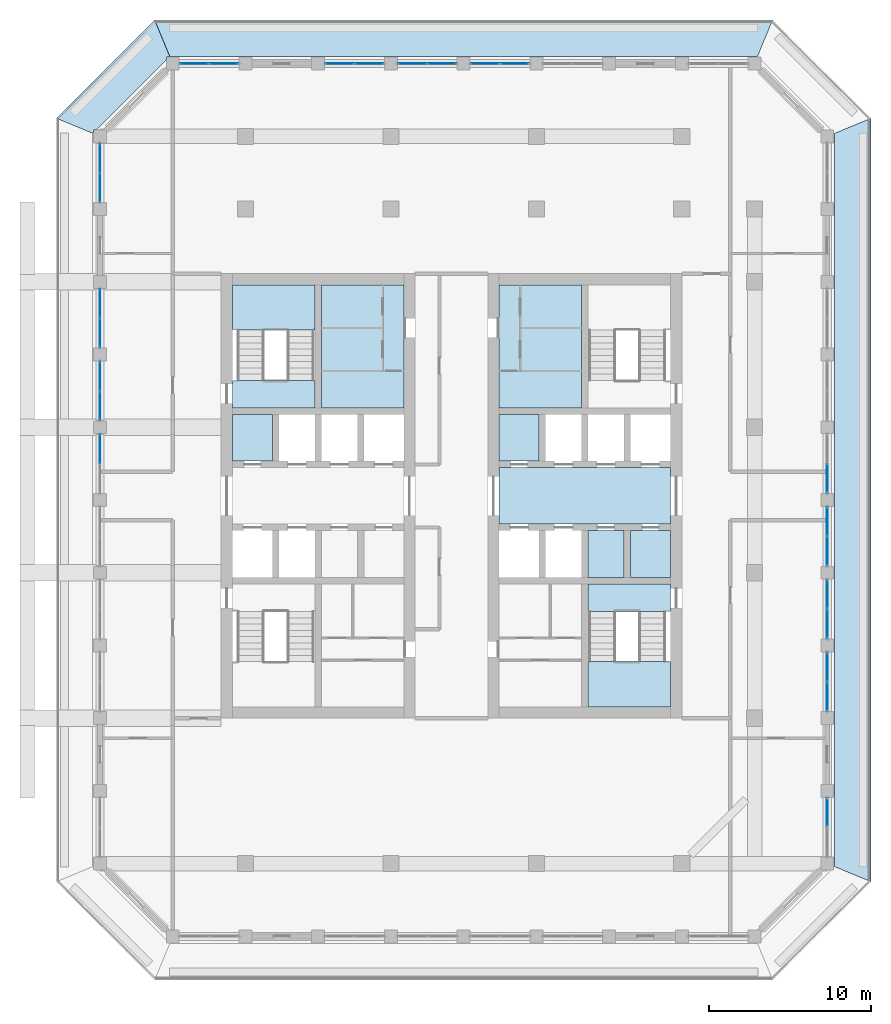
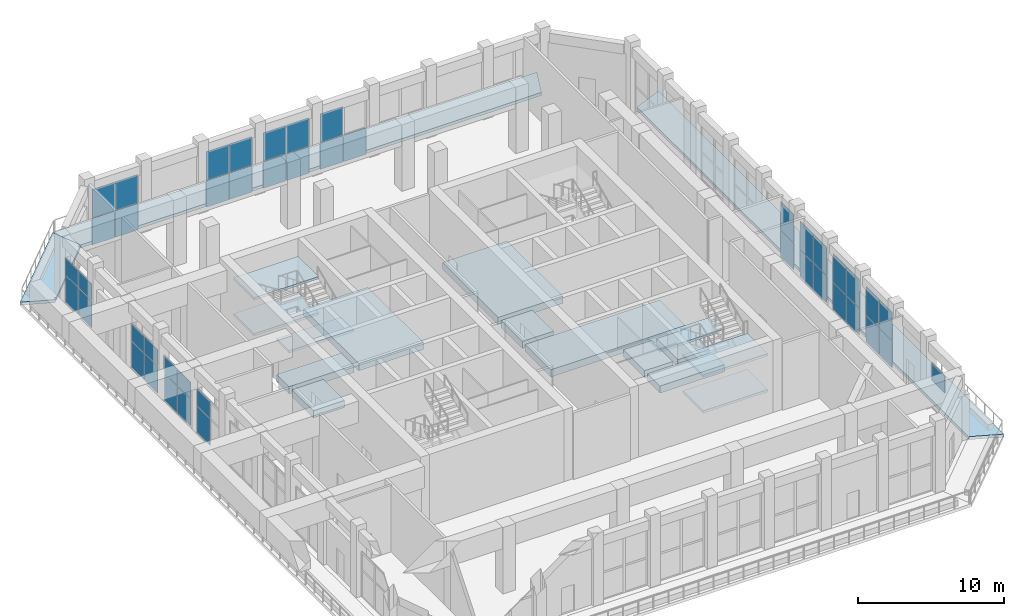
# One storey, part 10 of 25: 44 plates, 18 slabs, 15 elements without a shape of their own.
"""IFC4 building model written with IfcOpenShell, lengths in metres."""

import ifcopenshell
import ifcopenshell.guid

model = None  # the IFC model being written
_history = None  # IfcOwnerHistory: only IFC2X3 demands one
_inside = {}  # id of a spatial element -> (the spatial element, [elements in it])
_under = {}  # id of a project, library or spatial element -> (it, [spatial elements below it])
_declared = {}  # id of a project -> (the project, [libraries it declares])
_typed = {}  # id of a type object -> (the type object, [elements of that type])
_made_of = {}  # id of a material, layer set ... -> (it, [elements and type objects made of it])


def new_model(schema):
    """Start an empty IFC model of exactly this schema.

    Asked for "IFC4X3", IfcOpenShell would pick the latest addendum, in which some entities
    have other attributes; the version numbers below select the first issue.
    IFC2X3 requires an IfcOwnerHistory on every rooted entity: one is made here for all.
    """
    global model, _history
    if schema == "IFC4X3":
        model = ifcopenshell.file(schema_version=(4, 3, 0, 0))
    else:
        model = ifcopenshell.file(schema=schema)
    _inside.clear()
    _under.clear()
    _declared.clear()
    _typed.clear()
    _made_of.clear()
    _history = None
    if model.schema == "IFC2X3":
        org = make("IfcOrganization", Name="unknown")
        user = make(
            "IfcPersonAndOrganization",
            ThePerson=make("IfcPerson", FamilyName="unknown"),
            TheOrganization=org,
        )
        app = make(
            "IfcApplication",
            ApplicationDeveloper=org,
            Version="unknown",
            ApplicationFullName="unknown",
            ApplicationIdentifier="unknown",
        )
        _history = make(
            "IfcOwnerHistory",
            OwningUser=user,
            OwningApplication=app,
            ChangeAction="ADDED",
            CreationDate=0,
        )
    return model


def make(cls, **values):
    """One entity of the class cls with the attributes given. An attribute that is None is left unset."""
    return model.create_entity(
        cls, **{name: value for name, value in values.items() if value is not None}
    )


def rooted(cls, **values):
    """An entity with a GlobalId (a new one), such as an element, a storey or a relation."""
    return make(cls, GlobalId=ifcopenshell.guid.new(), OwnerHistory=_history, **values)


def si_unit(unit_type, name, prefix=None):
    """IfcSIUnit, for example si_unit("LENGTHUNIT", "METRE", prefix="MILLI")."""
    return make("IfcSIUnit", UnitType=unit_type, Prefix=prefix, Name=name)


def assignment(units):
    """IfcUnitAssignment: the units of a project."""
    return None if units is None else make("IfcUnitAssignment", Units=units)


def point(xyz):
    """IfcCartesianPoint."""
    return None if xyz is None else make("IfcCartesianPoint", Coordinates=xyz)


def direction(xyz):
    """IfcDirection."""
    return None if xyz is None else make("IfcDirection", DirectionRatios=xyz)


def frame(location, z_axis=None, x_axis=None):
    """IfcAxis2Placement3D, a coordinate frame: its origin and axes. An axis left out is left unset."""
    return make(
        "IfcAxis2Placement3D",
        Location=point(location),
        Axis=direction(z_axis),
        RefDirection=direction(x_axis),
    )


def frame_2d(location, x_axis=None):
    """IfcAxis2Placement2D, a coordinate frame in the plane: its origin and x axis."""
    return make(
        "IfcAxis2Placement2D", Location=point(location), RefDirection=direction(x_axis)
    )


def origin():
    """The frame at (0, 0, 0) with its axes left unset."""
    return frame((0.0, 0.0, 0.0))


def origin_2d():
    """The frame at (0, 0) in the plane with its x axis left unset."""
    return frame_2d((0.0, 0.0))


def place(relative_to, where):
    """IfcLocalPlacement: puts the frame where relative to a parent placement (None: the world)."""
    return make(
        "IfcLocalPlacement", PlacementRelTo=relative_to, RelativePlacement=where
    )


def context(
    kind, dimensions, precision=None, world=None, true_north=None, identifier=None
):
    """IfcGeometricRepresentationContext, for example the 3D "Model" context."""
    return make(
        "IfcGeometricRepresentationContext",
        ContextIdentifier=identifier,
        ContextType=kind,
        CoordinateSpaceDimension=dimensions,
        Precision=precision,
        WorldCoordinateSystem=world,
        TrueNorth=true_north,
    )


def subcontext(parent, identifier, kind, view, scale=None):
    """IfcGeometricRepresentationSubContext, for example "Body" below "Model"."""
    return make(
        "IfcGeometricRepresentationSubContext",
        ContextIdentifier=identifier,
        ContextType=kind,
        ParentContext=parent,
        TargetScale=scale,
        TargetView=view,
    )


def project(units=None, contexts=None):
    """IfcProject with its units and contexts."""
    return rooted(
        "IfcProject",
        Name="project",
        RepresentationContexts=contexts,
        UnitsInContext=assignment(units),
    )


def spatial(cls, under=None, at=None, **own):
    """A site, building, storey or space (cls), placed at a placement, below another one or the project."""
    s = rooted(cls, ObjectPlacement=at, **own)
    if under is not None:
        _under.setdefault(under.id(), (under, []))[1].append(s)
    return s


def polyline(points):
    """IfcPolyline through the points."""
    return make("IfcPolyline", Points=[point(p) for p in points])


def profile(cls, at=None, kind="AREA", **sizes):
    """A parametric profile (cls). Its sizes go by their IFC names, for example OverallWidth=200.0."""
    return make(cls, ProfileType=kind, Position=at, **sizes)


def rectangle(**sizes):
    """IfcRectangleProfileDef."""
    return profile("IfcRectangleProfileDef", **sizes)


def outline(outer, holes=None, kind="AREA"):
    """IfcArbitraryClosedProfileDef: a profile drawn as a closed curve; with holes, ...WithVoids."""
    if holes is None:
        return make("IfcArbitraryClosedProfileDef", ProfileType=kind, OuterCurve=outer)
    return make(
        "IfcArbitraryProfileDefWithVoids",
        ProfileType=kind,
        OuterCurve=outer,
        InnerCurves=holes,
    )


def extrude(swept, where, along, depth):
    """IfcExtrudedAreaSolid: the profile swept, set in the frame where, extruded along a direction by depth."""
    return make(
        "IfcExtrudedAreaSolid",
        SweptArea=swept,
        Position=where,
        ExtrudedDirection=direction(along),
        Depth=depth,
    )


def shape(context_of_items, identifier, shape_type, items):
    """IfcShapeRepresentation: the items that make up one representation, for example the "Body"."""
    return make(
        "IfcShapeRepresentation",
        ContextOfItems=context_of_items,
        RepresentationIdentifier=identifier,
        RepresentationType=shape_type,
        Items=items,
    )


def material(Name=None, Category=None):
    """IfcMaterial."""
    return make("IfcMaterial", Name=Name, Category=Category)


def layer(
    of_material, thickness, ventilated=None, Name=None, Category=None, Priority=None
):
    """IfcMaterialLayer: one layer of a wall or slab, of a material (None: an air gap)."""
    return make(
        "IfcMaterialLayer",
        Material=of_material,
        LayerThickness=thickness,
        IsVentilated=ventilated,
        Name=Name,
        Category=Category,
        Priority=Priority,
    )


def layer_set(layers, Name=None):
    """IfcMaterialLayerSet."""
    return make("IfcMaterialLayerSet", MaterialLayers=layers, LayerSetName=Name)


def made_of(thing, what):
    """Note that an element or type object is made of a material, layer set ...; save() writes the relation."""
    if what is not None:
        _made_of.setdefault(what.id(), (what, []))[1].append(thing)
    return thing


def type_object(cls, material=None, **own):
    """A type object (cls), such as IfcWallType, which elements share."""
    return made_of(rooted(cls, **own), material)


def element(
    cls,
    number,
    at=None,
    inside=None,
    cuts=None,
    type_object=None,
    material=None,
    context=None,
    identifier="Body",
    shape_type=None,
    held_by="IfcProductDefinitionShape",
    body=None,
    shapes=None,
    **own,
):
    """One element of the class cls, such as IfcWall. Its Tag is "e" and its number.

    at: its placement. inside: the storey or other place that contains it. cuts: it is an
    opening in that element (IfcRelVoidsElement). A single representation is given by context,
    identifier, shape_type and body (its items); several are given by shapes. held_by: the class
    of the entity that holds the representations. save() writes the other relations.
    """
    e = rooted(cls, Tag="e%d" % number, ObjectPlacement=at, **own)
    if body is not None:
        shapes = [shape(context, identifier, shape_type, body)]
    if shapes is not None:
        e.Representation = make(held_by, Representations=shapes)
    if inside is not None:
        _inside.setdefault(inside.id(), (inside, []))[1].append(e)
    if cuts is not None:
        rooted(
            "IfcRelVoidsElement", RelatingBuildingElement=cuts, RelatedOpeningElement=e
        )
    if type_object is not None:
        _typed.setdefault(type_object.id(), (type_object, []))[1].append(e)
    return made_of(e, material)


def aggregate(whole, parts):
    """IfcRelAggregates: a whole, such as a stair, and the parts it consists of."""
    return rooted("IfcRelAggregates", RelatingObject=whole, RelatedObjects=parts)


def save(model, path):
    """Write the relations noted so far, then the file.

    IfcRelAggregates (storeys below a building ...), IfcRelContainedInSpatialStructure (elements
    in a storey), IfcRelDefinesByType, IfcRelAssociatesMaterial and IfcRelDeclares: one each for
    every whole, place, type object, material and project.
    """
    for whole, parts in _under.values():
        aggregate(whole, parts)
    for where, things in _inside.values():
        rooted(
            "IfcRelContainedInSpatialStructure",
            RelatedElements=things,
            RelatingStructure=where,
        )
    for kind, things in _typed.values():
        rooted("IfcRelDefinesByType", RelatedObjects=things, RelatingType=kind)
    for what, things in _made_of.values():
        rooted("IfcRelAssociatesMaterial", RelatedObjects=things, RelatingMaterial=what)
    for by, libraries in _declared.values():
        rooted("IfcRelDeclares", RelatingContext=by, RelatedDefinitions=libraries)
    model.write(path)


model = new_model("IFC4")

# Units and contexts
model_context = context("Model", 3, precision=1e-05, world=origin(), true_north=direction((0.0, 1.0)))
body_context = subcontext(model_context, "Body", "Model", "MODEL_VIEW")
ifc_project = project(units=[si_unit("LENGTHUNIT", "METRE"), si_unit("AREAUNIT", "SQUARE_METRE"), si_unit("VOLUMEUNIT", "CUBIC_METRE"), si_unit("PLANEANGLEUNIT", "RADIAN"), si_unit("MASSUNIT", "GRAM", prefix="KILO")], contexts=[model_context])

# Site, building, storey
site_placement = place(None, origin())
site = spatial("IfcSite", under=ifc_project, at=site_placement, CompositionType="ELEMENT")
building_placement = place(site_placement, origin())
building = spatial("IfcBuilding", under=site, at=building_placement, Name="Corbel Stack Research Tower", CompositionType="ELEMENT")
storey_placement = place(building_placement, frame((0.0, 0.0, 260.300048828125)))
storey = spatial("IfcBuildingStorey", under=building, at=storey_placement, Name="L59", CompositionType="ELEMENT", Elevation=260.300048828125)

# Curtain wall, plate
ifc_material_1 = material(Name="Aluminium frame, clear glass", Category="aluminium")
curtain_wall_type = type_object("IfcCurtainWallType", Name="Upper amenity floor curtain wall CW3", PredefinedType="NOTDEFINED", material=ifc_material_1)
curtain_wall_1_placement = place(storey_placement, origin())
curtain_wall_1 = element("IfcCurtainWall", 1, at=curtain_wall_1_placement, inside=storey, type_object=curtain_wall_type, Name="Curtain wall CW3 L59 E01", PredefinedType="NOTDEFINED")
ifc_material_2 = material(Name="Low-emissivity glass", Category="glass")
ifc_layer_1 = layer(ifc_material_2, 0.035888671875)
ifc_layer_set_1 = layer_set([ifc_layer_1], Name="Low-emissivity glass")
plate_type = type_object("IfcPlateType", Name="Low-emissivity glazing 36", PredefinedType="CURTAIN_PANEL", material=ifc_layer_set_1)
plate_1_placement = place(storey_placement, frame((27.0, -14.840087890625, 2.330078125), z_axis=(0.0, 0.0, 1.0), x_axis=(0.0, 1.0, 0.0)))
plate_1 = element("IfcPlate", 2, at=plate_1_placement, type_object=plate_type, Name="CW3 panel 2.2", PredefinedType="CURTAIN_PANEL", context=body_context, shape_type="SweptSolid", body=[
    extrude(rectangle(XDim=1.760009765625, YDim=0.035888671875, at=origin_2d()), origin(), (0.0, 0.0, 1.0), 1.360107421875),
])
aggregate(curtain_wall_1, [plate_1])

# Curtain wall, plates
curtain_wall_2_placement = place(storey_placement, origin())
curtain_wall_2 = element("IfcCurtainWall", 3, at=curtain_wall_2_placement, inside=storey, type_object=curtain_wall_type, Name="Curtain wall CW3 L59 E03", PredefinedType="NOTDEFINED")
plate_2_placement = place(storey_placement, frame((27.0, -7.659912109375, 0.06005859375), z_axis=(0.0, 0.0, 1.0), x_axis=(0.0, 1.0, 0.0)))
plate_2 = element("IfcPlate", 4, at=plate_2_placement, type_object=plate_type, Name="CW3 panel 1.1", PredefinedType="CURTAIN_PANEL", context=body_context, shape_type="SweptSolid", body=[
    extrude(rectangle(XDim=1.760009765625, YDim=0.035888671875, at=origin_2d()), origin(), (0.0, 0.0, 1.0), 2.2099609375),
])
plate_3_placement = place(storey_placement, frame((27.0, -7.659912109375, 2.330078125), z_axis=(0.0, 0.0, 1.0), x_axis=(0.0, 1.0, 0.0)))
plate_3 = element("IfcPlate", 5, at=plate_3_placement, type_object=plate_type, Name="CW3 panel 1.2", PredefinedType="CURTAIN_PANEL", context=body_context, shape_type="SweptSolid", body=[
    extrude(rectangle(XDim=1.760009765625, YDim=0.035888671875, at=origin_2d()), origin(), (0.0, 0.0, 1.0), 2.360107421875),
])
plate_4_placement = place(storey_placement, frame((27.0, -5.840087890625, 0.06005859375), z_axis=(0.0, 0.0, 1.0), x_axis=(0.0, 1.0, 0.0)))
plate_4 = element("IfcPlate", 6, at=plate_4_placement, type_object=plate_type, Name="CW3 panel 2.1", PredefinedType="CURTAIN_PANEL", context=body_context, shape_type="SweptSolid", body=[
    extrude(rectangle(XDim=1.760009765625, YDim=0.035888671875, at=origin_2d()), origin(), (0.0, 0.0, 1.0), 2.2099609375),
])
plate_5_placement = place(storey_placement, frame((27.0, -5.840087890625, 2.330078125), z_axis=(0.0, 0.0, 1.0), x_axis=(0.0, 1.0, 0.0)))
plate_5 = element("IfcPlate", 7, at=plate_5_placement, type_object=plate_type, Name="CW3 panel 2.2", PredefinedType="CURTAIN_PANEL", context=body_context, shape_type="SweptSolid", body=[
    extrude(rectangle(XDim=1.760009765625, YDim=0.035888671875, at=origin_2d()), origin(), (0.0, 0.0, 1.0), 2.360107421875),
])
aggregate(curtain_wall_2, [plate_2, plate_3, plate_4, plate_5])

curtain_wall_3_placement = place(storey_placement, origin())
curtain_wall_3 = element("IfcCurtainWall", 8, at=curtain_wall_3_placement, inside=storey, type_object=curtain_wall_type, Name="Curtain wall CW3 L59 E04", PredefinedType="NOTDEFINED")
plate_6_placement = place(storey_placement, frame((27.0, -3.159912109375, 0.06005859375), z_axis=(0.0, 0.0, 1.0), x_axis=(0.0, 1.0, 0.0)))
plate_6 = element("IfcPlate", 9, at=plate_6_placement, type_object=plate_type, Name="CW3 panel 1.1", PredefinedType="CURTAIN_PANEL", context=body_context, shape_type="SweptSolid", body=[
    extrude(rectangle(XDim=1.760009765625, YDim=0.035888671875, at=origin_2d()), origin(), (0.0, 0.0, 1.0), 2.2099609375),
])
plate_7_placement = place(storey_placement, frame((27.0, -3.159912109375, 2.330078125), z_axis=(0.0, 0.0, 1.0), x_axis=(0.0, 1.0, 0.0)))
plate_7 = element("IfcPlate", 10, at=plate_7_placement, type_object=plate_type, Name="CW3 panel 1.2", PredefinedType="CURTAIN_PANEL", context=body_context, shape_type="SweptSolid", body=[
    extrude(rectangle(XDim=1.760009765625, YDim=0.035888671875, at=origin_2d()), origin(), (0.0, 0.0, 1.0), 2.360107421875),
])
plate_8_placement = place(storey_placement, frame((27.0, -1.340087890625, 0.06005859375), z_axis=(0.0, 0.0, 1.0), x_axis=(0.0, 1.0, 0.0)))
plate_8 = element("IfcPlate", 11, at=plate_8_placement, type_object=plate_type, Name="CW3 panel 2.1", PredefinedType="CURTAIN_PANEL", context=body_context, shape_type="SweptSolid", body=[
    extrude(rectangle(XDim=1.760009765625, YDim=0.035888671875, at=origin_2d()), origin(), (0.0, 0.0, 1.0), 2.2099609375),
])
plate_9_placement = place(storey_placement, frame((27.0, -1.340087890625, 2.330078125), z_axis=(0.0, 0.0, 1.0), x_axis=(0.0, 1.0, 0.0)))
plate_9 = element("IfcPlate", 12, at=plate_9_placement, type_object=plate_type, Name="CW3 panel 2.2", PredefinedType="CURTAIN_PANEL", context=body_context, shape_type="SweptSolid", body=[
    extrude(rectangle(XDim=1.760009765625, YDim=0.035888671875, at=origin_2d()), origin(), (0.0, 0.0, 1.0), 2.360107421875),
])
aggregate(curtain_wall_3, [plate_6, plate_7, plate_8, plate_9])

curtain_wall_4_placement = place(storey_placement, origin())
curtain_wall_4 = element("IfcCurtainWall", 13, at=curtain_wall_4_placement, inside=storey, type_object=curtain_wall_type, Name="Curtain wall CW3 L59 E05", PredefinedType="NOTDEFINED")
plate_10_placement = place(storey_placement, frame((27.0, 1.340087890625, 0.06005859375), z_axis=(0.0, 0.0, 1.0), x_axis=(0.0, 1.0, 0.0)))
plate_10 = element("IfcPlate", 14, at=plate_10_placement, type_object=plate_type, Name="CW3 panel 1.1", PredefinedType="CURTAIN_PANEL", context=body_context, shape_type="SweptSolid", body=[
    extrude(rectangle(XDim=1.760009765625, YDim=0.035888671875, at=origin_2d()), origin(), (0.0, 0.0, 1.0), 2.2099609375),
])
plate_11_placement = place(storey_placement, frame((27.0, 1.340087890625, 2.330078125), z_axis=(0.0, 0.0, 1.0), x_axis=(0.0, 1.0, 0.0)))
plate_11 = element("IfcPlate", 15, at=plate_11_placement, type_object=plate_type, Name="CW3 panel 1.2", PredefinedType="CURTAIN_PANEL", context=body_context, shape_type="SweptSolid", body=[
    extrude(rectangle(XDim=1.760009765625, YDim=0.035888671875, at=origin_2d()), origin(), (0.0, 0.0, 1.0), 2.360107421875),
])
plate_12_placement = place(storey_placement, frame((27.0, 3.159912109375, 0.06005859375), z_axis=(0.0, 0.0, 1.0), x_axis=(0.0, 1.0, 0.0)))
plate_12 = element("IfcPlate", 16, at=plate_12_placement, type_object=plate_type, Name="CW3 panel 2.1", PredefinedType="CURTAIN_PANEL", context=body_context, shape_type="SweptSolid", body=[
    extrude(rectangle(XDim=1.760009765625, YDim=0.035888671875, at=origin_2d()), origin(), (0.0, 0.0, 1.0), 2.2099609375),
])
plate_13_placement = place(storey_placement, frame((27.0, 3.159912109375, 2.330078125), z_axis=(0.0, 0.0, 1.0), x_axis=(0.0, 1.0, 0.0)))
plate_13 = element("IfcPlate", 17, at=plate_13_placement, type_object=plate_type, Name="CW3 panel 2.2", PredefinedType="CURTAIN_PANEL", context=body_context, shape_type="SweptSolid", body=[
    extrude(rectangle(XDim=1.760009765625, YDim=0.035888671875, at=origin_2d()), origin(), (0.0, 0.0, 1.0), 2.360107421875),
])
aggregate(curtain_wall_4, [plate_10, plate_11, plate_12, plate_13])

curtain_wall_5_placement = place(storey_placement, origin())
curtain_wall_5 = element("IfcCurtainWall", 18, at=curtain_wall_5_placement, inside=storey, type_object=curtain_wall_type, Name="Curtain wall CW3 L59 E06", PredefinedType="NOTDEFINED")
plate_14_placement = place(storey_placement, frame((27.0, 5.840087890625, 0.06005859375), z_axis=(0.0, 0.0, 1.0), x_axis=(0.0, 1.0, 0.0)))
plate_14 = element("IfcPlate", 19, at=plate_14_placement, type_object=plate_type, Name="CW3 panel 1.1", PredefinedType="CURTAIN_PANEL", context=body_context, shape_type="SweptSolid", body=[
    extrude(rectangle(XDim=1.760009765625, YDim=0.035888671875, at=origin_2d()), origin(), (0.0, 0.0, 1.0), 2.2099609375),
])
plate_15_placement = place(storey_placement, frame((27.0, 5.840087890625, 2.330078125), z_axis=(0.0, 0.0, 1.0), x_axis=(0.0, 1.0, 0.0)))
plate_15 = element("IfcPlate", 20, at=plate_15_placement, type_object=plate_type, Name="CW3 panel 1.2", PredefinedType="CURTAIN_PANEL", context=body_context, shape_type="SweptSolid", body=[
    extrude(rectangle(XDim=1.760009765625, YDim=0.035888671875, at=origin_2d()), origin(), (0.0, 0.0, 1.0), 2.360107421875),
])
aggregate(curtain_wall_5, [plate_14, plate_15])

curtain_wall_6_placement = place(storey_placement, origin())
curtain_wall_6 = element("IfcCurtainWall", 21, at=curtain_wall_6_placement, inside=storey, type_object=curtain_wall_type, Name="Curtain wall CW3 L59 N04", PredefinedType="NOTDEFINED")
plate_16_placement = place(storey_placement, frame((7.659912109375, 31.5, 0.06005859375), z_axis=(0.0, 0.0, 1.0), x_axis=(-1.0, 0.0, 0.0)))
plate_16 = element("IfcPlate", 22, at=plate_16_placement, type_object=plate_type, Name="CW3 panel 1.1", PredefinedType="CURTAIN_PANEL", context=body_context, shape_type="SweptSolid", body=[
    extrude(rectangle(XDim=1.760009765625, YDim=0.035888671875, at=origin_2d()), origin(), (0.0, 0.0, 1.0), 2.2099609375),
])
plate_17_placement = place(storey_placement, frame((5.840087890625, 31.5, 0.06005859375), z_axis=(0.0, 0.0, 1.0), x_axis=(-1.0, 0.0, 0.0)))
plate_17 = element("IfcPlate", 23, at=plate_17_placement, type_object=plate_type, Name="CW3 panel 2.1", PredefinedType="CURTAIN_PANEL", context=body_context, shape_type="SweptSolid", body=[
    extrude(rectangle(XDim=1.760009765625, YDim=0.035888671875, at=origin_2d()), origin(), (0.0, 0.0, 1.0), 2.2099609375),
])
plate_18_placement = place(storey_placement, frame((5.840087890625, 31.5, 2.330078125), z_axis=(0.0, 0.0, 1.0), x_axis=(-1.0, 0.0, 0.0)))
plate_18 = element("IfcPlate", 24, at=plate_18_placement, type_object=plate_type, Name="CW3 panel 2.2", PredefinedType="CURTAIN_PANEL", context=body_context, shape_type="SweptSolid", body=[
    extrude(rectangle(XDim=1.760009765625, YDim=0.035888671875, at=origin_2d()), origin(), (0.0, 0.0, 1.0), 2.360107421875),
])
aggregate(curtain_wall_6, [plate_16, plate_17, plate_18])

curtain_wall_7_placement = place(storey_placement, origin())
curtain_wall_7 = element("IfcCurtainWall", 25, at=curtain_wall_7_placement, inside=storey, type_object=curtain_wall_type, Name="Curtain wall CW3 L59 N05", PredefinedType="NOTDEFINED")
plate_19_placement = place(storey_placement, frame((3.159912109375, 31.5, 0.06005859375), z_axis=(0.0, 0.0, 1.0), x_axis=(-1.0, 0.0, 0.0)))
plate_19 = element("IfcPlate", 26, at=plate_19_placement, type_object=plate_type, Name="CW3 panel 1.1", PredefinedType="CURTAIN_PANEL", context=body_context, shape_type="SweptSolid", body=[
    extrude(rectangle(XDim=1.760009765625, YDim=0.035888671875, at=origin_2d()), origin(), (0.0, 0.0, 1.0), 2.2099609375),
])
plate_20_placement = place(storey_placement, frame((3.159912109375, 31.5, 2.330078125), z_axis=(0.0, 0.0, 1.0), x_axis=(-1.0, 0.0, 0.0)))
plate_20 = element("IfcPlate", 27, at=plate_20_placement, type_object=plate_type, Name="CW3 panel 1.2", PredefinedType="CURTAIN_PANEL", context=body_context, shape_type="SweptSolid", body=[
    extrude(rectangle(XDim=1.760009765625, YDim=0.035888671875, at=origin_2d()), origin(), (0.0, 0.0, 1.0), 2.360107421875),
])
plate_21_placement = place(storey_placement, frame((1.340087890625, 31.5, 0.06005859375), z_axis=(0.0, 0.0, 1.0), x_axis=(-1.0, 0.0, 0.0)))
plate_21 = element("IfcPlate", 28, at=plate_21_placement, type_object=plate_type, Name="CW3 panel 2.1", PredefinedType="CURTAIN_PANEL", context=body_context, shape_type="SweptSolid", body=[
    extrude(rectangle(XDim=1.760009765625, YDim=0.035888671875, at=origin_2d()), origin(), (0.0, 0.0, 1.0), 2.2099609375),
])
plate_22_placement = place(storey_placement, frame((1.340087890625, 31.5, 2.330078125), z_axis=(0.0, 0.0, 1.0), x_axis=(-1.0, 0.0, 0.0)))
plate_22 = element("IfcPlate", 29, at=plate_22_placement, type_object=plate_type, Name="CW3 panel 2.2", PredefinedType="CURTAIN_PANEL", context=body_context, shape_type="SweptSolid", body=[
    extrude(rectangle(XDim=1.760009765625, YDim=0.035888671875, at=origin_2d()), origin(), (0.0, 0.0, 1.0), 2.360107421875),
])
aggregate(curtain_wall_7, [plate_19, plate_20, plate_21, plate_22])

curtain_wall_8_placement = place(storey_placement, origin())
curtain_wall_8 = element("IfcCurtainWall", 30, at=curtain_wall_8_placement, inside=storey, type_object=curtain_wall_type, Name="Curtain wall CW3 L59 N06", PredefinedType="NOTDEFINED")
plate_23_placement = place(storey_placement, frame((-1.340087890625, 31.5, 0.06005859375), z_axis=(0.0, 0.0, 1.0), x_axis=(-1.0, 0.0, 0.0)))
plate_23 = element("IfcPlate", 31, at=plate_23_placement, type_object=plate_type, Name="CW3 panel 1.1", PredefinedType="CURTAIN_PANEL", context=body_context, shape_type="SweptSolid", body=[
    extrude(rectangle(XDim=1.760009765625, YDim=0.035888671875, at=origin_2d()), origin(), (0.0, 0.0, 1.0), 2.2099609375),
])
plate_24_placement = place(storey_placement, frame((-1.340087890625, 31.5, 2.330078125), z_axis=(0.0, 0.0, 1.0), x_axis=(-1.0, 0.0, 0.0)))
plate_24 = element("IfcPlate", 32, at=plate_24_placement, type_object=plate_type, Name="CW3 panel 1.2", PredefinedType="CURTAIN_PANEL", context=body_context, shape_type="SweptSolid", body=[
    extrude(rectangle(XDim=1.760009765625, YDim=0.035888671875, at=origin_2d()), origin(), (0.0, 0.0, 1.0), 2.360107421875),
])
plate_25_placement = place(storey_placement, frame((-3.159912109375, 31.5, 0.06005859375), z_axis=(0.0, 0.0, 1.0), x_axis=(-1.0, 0.0, 0.0)))
plate_25 = element("IfcPlate", 33, at=plate_25_placement, type_object=plate_type, Name="CW3 panel 2.1", PredefinedType="CURTAIN_PANEL", context=body_context, shape_type="SweptSolid", body=[
    extrude(rectangle(XDim=1.760009765625, YDim=0.035888671875, at=origin_2d()), origin(), (0.0, 0.0, 1.0), 2.2099609375),
])
plate_26_placement = place(storey_placement, frame((-3.159912109375, 31.5, 2.330078125), z_axis=(0.0, 0.0, 1.0), x_axis=(-1.0, 0.0, 0.0)))
plate_26 = element("IfcPlate", 34, at=plate_26_placement, type_object=plate_type, Name="CW3 panel 2.2", PredefinedType="CURTAIN_PANEL", context=body_context, shape_type="SweptSolid", body=[
    extrude(rectangle(XDim=1.760009765625, YDim=0.035888671875, at=origin_2d()), origin(), (0.0, 0.0, 1.0), 2.360107421875),
])
aggregate(curtain_wall_8, [plate_23, plate_24, plate_25, plate_26])

curtain_wall_9_placement = place(storey_placement, origin())
curtain_wall_9 = element("IfcCurtainWall", 35, at=curtain_wall_9_placement, inside=storey, type_object=curtain_wall_type, Name="Curtain wall CW3 L59 N08", PredefinedType="NOTDEFINED")
plate_27_placement = place(storey_placement, frame((-10.340087890625, 31.5, 0.06005859375), z_axis=(0.0, 0.0, 1.0), x_axis=(-1.0, 0.0, 0.0)))
plate_27 = element("IfcPlate", 36, at=plate_27_placement, type_object=plate_type, Name="CW3 panel 1.1", PredefinedType="CURTAIN_PANEL", context=body_context, shape_type="SweptSolid", body=[
    extrude(rectangle(XDim=1.760009765625, YDim=0.035888671875, at=origin_2d()), origin(), (0.0, 0.0, 1.0), 2.2099609375),
])
plate_28_placement = place(storey_placement, frame((-10.340087890625, 31.5, 2.330078125), z_axis=(0.0, 0.0, 1.0), x_axis=(-1.0, 0.0, 0.0)))
plate_28 = element("IfcPlate", 37, at=plate_28_placement, type_object=plate_type, Name="CW3 panel 1.2", PredefinedType="CURTAIN_PANEL", context=body_context, shape_type="SweptSolid", body=[
    extrude(rectangle(XDim=1.760009765625, YDim=0.035888671875, at=origin_2d()), origin(), (0.0, 0.0, 1.0), 2.360107421875),
])
plate_29_placement = place(storey_placement, frame((-12.159912109375, 31.5, 0.06005859375), z_axis=(0.0, 0.0, 1.0), x_axis=(-1.0, 0.0, 0.0)))
plate_29 = element("IfcPlate", 38, at=plate_29_placement, type_object=plate_type, Name="CW3 panel 2.1", PredefinedType="CURTAIN_PANEL", context=body_context, shape_type="SweptSolid", body=[
    extrude(rectangle(XDim=1.760009765625, YDim=0.035888671875, at=origin_2d()), origin(), (0.0, 0.0, 1.0), 2.2099609375),
])
plate_30_placement = place(storey_placement, frame((-12.159912109375, 31.5, 2.330078125), z_axis=(0.0, 0.0, 1.0), x_axis=(-1.0, 0.0, 0.0)))
plate_30 = element("IfcPlate", 39, at=plate_30_placement, type_object=plate_type, Name="CW3 panel 2.2", PredefinedType="CURTAIN_PANEL", context=body_context, shape_type="SweptSolid", body=[
    extrude(rectangle(XDim=1.760009765625, YDim=0.035888671875, at=origin_2d()), origin(), (0.0, 0.0, 1.0), 2.360107421875),
])
aggregate(curtain_wall_9, [plate_27, plate_28, plate_29, plate_30])

curtain_wall_10_placement = place(storey_placement, origin())
curtain_wall_10 = element("IfcCurtainWall", 40, at=curtain_wall_10_placement, inside=storey, type_object=curtain_wall_type, Name="Curtain wall CW3 L59 W01", PredefinedType="NOTDEFINED")
plate_31_placement = place(storey_placement, frame((-18.0, 25.659912109375, 0.06005859375), z_axis=(0.0, 0.0, 1.0), x_axis=(0.0, -1.0, 0.0)))
plate_31 = element("IfcPlate", 41, at=plate_31_placement, type_object=plate_type, Name="CW3 panel 1.1", PredefinedType="CURTAIN_PANEL", context=body_context, shape_type="SweptSolid", body=[
    extrude(rectangle(XDim=1.760009765625, YDim=0.035888671875, at=origin_2d()), origin(), (0.0, 0.0, 1.0), 2.2099609375),
])
plate_32_placement = place(storey_placement, frame((-18.0, 25.659912109375, 2.330078125), z_axis=(0.0, 0.0, 1.0), x_axis=(0.0, -1.0, 0.0)))
plate_32 = element("IfcPlate", 42, at=plate_32_placement, type_object=plate_type, Name="CW3 panel 1.2", PredefinedType="CURTAIN_PANEL", context=body_context, shape_type="SweptSolid", body=[
    extrude(rectangle(XDim=1.760009765625, YDim=0.035888671875, at=origin_2d()), origin(), (0.0, 0.0, 1.0), 1.360107421875),
])
plate_33_placement = place(storey_placement, frame((-18.0, 23.840087890625, 0.06005859375), z_axis=(0.0, 0.0, 1.0), x_axis=(0.0, -1.0, 0.0)))
plate_33 = element("IfcPlate", 43, at=plate_33_placement, type_object=plate_type, Name="CW3 panel 2.1", PredefinedType="CURTAIN_PANEL", context=body_context, shape_type="SweptSolid", body=[
    extrude(rectangle(XDim=1.760009765625, YDim=0.035888671875, at=origin_2d()), origin(), (0.0, 0.0, 1.0), 2.2099609375),
])
plate_34_placement = place(storey_placement, frame((-18.0, 23.840087890625, 2.330078125), z_axis=(0.0, 0.0, 1.0), x_axis=(0.0, -1.0, 0.0)))
plate_34 = element("IfcPlate", 44, at=plate_34_placement, type_object=plate_type, Name="CW3 panel 2.2", PredefinedType="CURTAIN_PANEL", context=body_context, shape_type="SweptSolid", body=[
    extrude(rectangle(XDim=1.760009765625, YDim=0.035888671875, at=origin_2d()), origin(), (0.0, 0.0, 1.0), 1.360107421875),
])
aggregate(curtain_wall_10, [plate_31, plate_32, plate_33, plate_34])

curtain_wall_11_placement = place(storey_placement, origin())
curtain_wall_11 = element("IfcCurtainWall", 45, at=curtain_wall_11_placement, inside=storey, type_object=curtain_wall_type, Name="Curtain wall CW3 L59 W03", PredefinedType="NOTDEFINED")
plate_35_placement = place(storey_placement, frame((-18.0, 16.659912109375, 0.06005859375), z_axis=(0.0, 0.0, 1.0), x_axis=(0.0, -1.0, 0.0)))
plate_35 = element("IfcPlate", 46, at=plate_35_placement, type_object=plate_type, Name="CW3 panel 1.1", PredefinedType="CURTAIN_PANEL", context=body_context, shape_type="SweptSolid", body=[
    extrude(rectangle(XDim=1.760009765625, YDim=0.035888671875, at=origin_2d()), origin(), (0.0, 0.0, 1.0), 2.2099609375),
])
plate_36_placement = place(storey_placement, frame((-18.0, 16.659912109375, 2.330078125), z_axis=(0.0, 0.0, 1.0), x_axis=(0.0, -1.0, 0.0)))
plate_36 = element("IfcPlate", 47, at=plate_36_placement, type_object=plate_type, Name="CW3 panel 1.2", PredefinedType="CURTAIN_PANEL", context=body_context, shape_type="SweptSolid", body=[
    extrude(rectangle(XDim=1.760009765625, YDim=0.035888671875, at=origin_2d()), origin(), (0.0, 0.0, 1.0), 1.360107421875),
])
plate_37_placement = place(storey_placement, frame((-18.0, 14.840087890625, 0.06005859375), z_axis=(0.0, 0.0, 1.0), x_axis=(0.0, -1.0, 0.0)))
plate_37 = element("IfcPlate", 48, at=plate_37_placement, type_object=plate_type, Name="CW3 panel 2.1", PredefinedType="CURTAIN_PANEL", context=body_context, shape_type="SweptSolid", body=[
    extrude(rectangle(XDim=1.760009765625, YDim=0.035888671875, at=origin_2d()), origin(), (0.0, 0.0, 1.0), 2.2099609375),
])
plate_38_placement = place(storey_placement, frame((-18.0, 14.840087890625, 2.330078125), z_axis=(0.0, 0.0, 1.0), x_axis=(0.0, -1.0, 0.0)))
plate_38 = element("IfcPlate", 49, at=plate_38_placement, type_object=plate_type, Name="CW3 panel 2.2", PredefinedType="CURTAIN_PANEL", context=body_context, shape_type="SweptSolid", body=[
    extrude(rectangle(XDim=1.760009765625, YDim=0.035888671875, at=origin_2d()), origin(), (0.0, 0.0, 1.0), 1.360107421875),
])
aggregate(curtain_wall_11, [plate_35, plate_36, plate_37, plate_38])

curtain_wall_12_placement = place(storey_placement, origin())
curtain_wall_12 = element("IfcCurtainWall", 50, at=curtain_wall_12_placement, inside=storey, type_object=curtain_wall_type, Name="Curtain wall CW3 L59 W04", PredefinedType="NOTDEFINED")
plate_39_placement = place(storey_placement, frame((-18.0, 12.159912109375, 0.06005859375), z_axis=(0.0, 0.0, 1.0), x_axis=(0.0, -1.0, 0.0)))
plate_39 = element("IfcPlate", 51, at=plate_39_placement, type_object=plate_type, Name="CW3 panel 1.1", PredefinedType="CURTAIN_PANEL", context=body_context, shape_type="SweptSolid", body=[
    extrude(rectangle(XDim=1.760009765625, YDim=0.035888671875, at=origin_2d()), origin(), (0.0, 0.0, 1.0), 2.2099609375),
])
plate_40_placement = place(storey_placement, frame((-18.0, 12.159912109375, 2.330078125), z_axis=(0.0, 0.0, 1.0), x_axis=(0.0, -1.0, 0.0)))
plate_40 = element("IfcPlate", 52, at=plate_40_placement, type_object=plate_type, Name="CW3 panel 1.2", PredefinedType="CURTAIN_PANEL", context=body_context, shape_type="SweptSolid", body=[
    extrude(rectangle(XDim=1.760009765625, YDim=0.035888671875, at=origin_2d()), origin(), (0.0, 0.0, 1.0), 1.360107421875),
])
plate_41_placement = place(storey_placement, frame((-18.0, 10.340087890625, 0.06005859375), z_axis=(0.0, 0.0, 1.0), x_axis=(0.0, -1.0, 0.0)))
plate_41 = element("IfcPlate", 53, at=plate_41_placement, type_object=plate_type, Name="CW3 panel 2.1", PredefinedType="CURTAIN_PANEL", context=body_context, shape_type="SweptSolid", body=[
    extrude(rectangle(XDim=1.760009765625, YDim=0.035888671875, at=origin_2d()), origin(), (0.0, 0.0, 1.0), 2.2099609375),
])
plate_42_placement = place(storey_placement, frame((-18.0, 10.340087890625, 2.330078125), z_axis=(0.0, 0.0, 1.0), x_axis=(0.0, -1.0, 0.0)))
plate_42 = element("IfcPlate", 54, at=plate_42_placement, type_object=plate_type, Name="CW3 panel 2.2", PredefinedType="CURTAIN_PANEL", context=body_context, shape_type="SweptSolid", body=[
    extrude(rectangle(XDim=1.760009765625, YDim=0.035888671875, at=origin_2d()), origin(), (0.0, 0.0, 1.0), 1.360107421875),
])
aggregate(curtain_wall_12, [plate_39, plate_40, plate_41, plate_42])

curtain_wall_13_placement = place(storey_placement, origin())
curtain_wall_13 = element("IfcCurtainWall", 55, at=curtain_wall_13_placement, inside=storey, type_object=curtain_wall_type, Name="Curtain wall CW3 L59 W05", PredefinedType="NOTDEFINED")
plate_43_placement = place(storey_placement, frame((-18.0, 7.659912109375, 0.06005859375), z_axis=(0.0, 0.0, 1.0), x_axis=(0.0, -1.0, 0.0)))
plate_43 = element("IfcPlate", 56, at=plate_43_placement, type_object=plate_type, Name="CW3 panel 1.1", PredefinedType="CURTAIN_PANEL", context=body_context, shape_type="SweptSolid", body=[
    extrude(rectangle(XDim=1.760009765625, YDim=0.035888671875, at=origin_2d()), origin(), (0.0, 0.0, 1.0), 2.2099609375),
])
plate_44_placement = place(storey_placement, frame((-18.0, 7.659912109375, 2.330078125), z_axis=(0.0, 0.0, 1.0), x_axis=(0.0, -1.0, 0.0)))
plate_44 = element("IfcPlate", 57, at=plate_44_placement, type_object=plate_type, Name="CW3 panel 1.2", PredefinedType="CURTAIN_PANEL", context=body_context, shape_type="SweptSolid", body=[
    extrude(rectangle(XDim=1.760009765625, YDim=0.035888671875, at=origin_2d()), origin(), (0.0, 0.0, 1.0), 1.360107421875),
])
aggregate(curtain_wall_13, [plate_43, plate_44])

# Slabs
ifc_material_3 = material(Name="Concrete C45/55", Category="concrete")
ifc_layer_2 = layer(ifc_material_3, 0.25)
ifc_layer_set_2 = layer_set([ifc_layer_2], Name="Concrete C45/55")
slab_type_1 = type_object("IfcSlabType", Name="PT balcony slab 250 C45/55", PredefinedType="FLOOR", material=ifc_layer_set_2)
slab_1_placement = place(storey_placement, frame((0.0, 0.0, -0.25)))
element("IfcSlab", 58, at=slab_1_placement, inside=storey, type_object=slab_type_1, Name="Loggia slab L59 E", PredefinedType="FLOOR", context=body_context, shape_type="SweptSolid", body=[
    extrude(outline(polyline([(27.449951171875, 27.186279296875), (27.449951171875, -18.186279296875), (29.699951171875, -19.118408203125), (29.699951171875, 28.118408203125), (27.449951171875, 27.186279296875)])), origin(), (0.0, 0.0, 1.0), 0.25),
])
slab_2_placement = place(storey_placement, frame((0.0, 0.0, -0.25)))
element("IfcSlab", 59, at=slab_2_placement, inside=storey, type_object=slab_type_1, Name="Loggia slab L59 N", PredefinedType="FLOOR", context=body_context, shape_type="SweptSolid", body=[
    extrude(outline(polyline([(-13.686279296875, 31.949951171875), (22.686279296875, 31.949951171875), (23.618408203125, 34.199951171875), (-14.618408203125, 34.199951171875), (-13.686279296875, 31.949951171875)])), origin(), (0.0, 0.0, 1.0), 0.25),
])
slab_3_placement = place(storey_placement, frame((0.0, 0.0, -0.25)))
element("IfcSlab", 60, at=slab_3_placement, inside=storey, type_object=slab_type_1, Name="Loggia slab L59 NW", PredefinedType="FLOOR", context=body_context, shape_type="SweptSolid", body=[
    extrude(outline(polyline([(-18.449951171875, 27.186279296875), (-18.39990234375, 27.236328125), (-18.39990234375, 27.39990234375), (-18.236328125, 27.39990234375), (-13.89990234375, 31.736328125), (-13.89990234375, 31.89990234375), (-13.736328125, 31.89990234375), (-13.686279296875, 31.949951171875), (-14.618408203125, 34.199951171875), (-20.699951171875, 28.118408203125), (-18.449951171875, 27.186279296875)])), origin(), (0.0, 0.0, 1.0), 0.25),
])
ifc_material_4 = material(Name="Concrete C45/55", Category="concrete")
ifc_layer_3 = layer(ifc_material_4, 0.60009765625)
ifc_layer_set_3 = layer_set([ifc_layer_3], Name="Concrete C45/55")
slab_type_2 = type_object("IfcSlabType", Name="PT-600", PredefinedType="FLOOR", material=ifc_layer_set_3)
slab_4_placement = place(storey_placement, frame((0.0, 0.0, -0.60009765625)))
element("IfcSlab", 61, at=slab_4_placement, inside=storey, type_object=slab_type_2, Name="West core floor L59", PredefinedType="FLOOR", context=body_context, shape_type="SweptSolid", body=[
    extrude(outline(polyline([(-9.800048828125, 6.89990234375), (-7.324951171875, 6.89990234375), (-7.324951171875, 9.800048828125), (-9.800048828125, 9.800048828125), (-9.800048828125, 6.89990234375)])), origin(), (0.0, 0.0, 1.0), 0.60009765625),
])
slab_5_placement = place(storey_placement, frame((0.0, 0.0, -0.60009765625)))
element("IfcSlab", 62, at=slab_5_placement, inside=storey, type_object=slab_type_2, Name="West core floor L59", PredefinedType="FLOOR", context=body_context, shape_type="SweptSolid", body=[
    extrude(outline(polyline([(-4.300048828125, 17.800048828125), (-4.300048828125, 10.199951171875), (0.800048828125, 10.199951171875), (0.800048828125, 17.800048828125), (-4.300048828125, 17.800048828125)])), origin(), (0.0, 0.0, 1.0), 0.60009765625),
])
slab_6_placement = place(storey_placement, frame((0.0, 0.0, -0.60009765625)))
element("IfcSlab", 63, at=slab_6_placement, inside=storey, type_object=slab_type_2, Name="East core floor L59", PredefinedType="FLOOR", context=body_context, shape_type="SweptSolid", body=[
    extrude(outline(polyline([(6.699951171875, 3.0), (17.300048828125, 3.0), (17.300048828125, 6.5), (6.699951171875, 6.5), (6.699951171875, 3.0)])), origin(), (0.0, 0.0, 1.0), 0.60009765625),
])
slab_7_placement = place(storey_placement, frame((0.0, 0.0, -0.60009765625)))
element("IfcSlab", 64, at=slab_7_placement, inside=storey, type_object=slab_type_2, Name="East core floor L59", PredefinedType="FLOOR", context=body_context, shape_type="SweptSolid", body=[
    extrude(outline(polyline([(6.699951171875, 6.89990234375), (9.175048828125, 6.89990234375), (9.175048828125, 9.800048828125), (6.699951171875, 9.800048828125), (6.699951171875, 6.89990234375)])), origin(), (0.0, 0.0, 1.0), 0.60009765625),
])
slab_8_placement = place(storey_placement, frame((0.0, 0.0, -0.60009765625)))
element("IfcSlab", 65, at=slab_8_placement, inside=storey, type_object=slab_type_2, Name="East core floor L59", PredefinedType="FLOOR", context=body_context, shape_type="SweptSolid", body=[
    extrude(outline(polyline([(6.699951171875, 10.199951171875), (11.800048828125, 10.199951171875), (11.800048828125, 17.800048828125), (6.699951171875, 17.800048828125), (6.699951171875, 10.199951171875)])), origin(), (0.0, 0.0, 1.0), 0.60009765625),
])
slab_9_placement = place(storey_placement, frame((0.0, 0.0, -0.60009765625)))
element("IfcSlab", 66, at=slab_9_placement, inside=storey, type_object=slab_type_2, Name="East core floor L59", PredefinedType="FLOOR", context=body_context, shape_type="SweptSolid", body=[
    extrude(outline(polyline([(12.199951171875, 2.60009765625), (12.199951171875, -0.300048828125), (14.425048828125, -0.300048828125), (14.425048828125, 2.60009765625), (12.199951171875, 2.60009765625)])), origin(), (0.0, 0.0, 1.0), 0.60009765625),
])
slab_10_placement = place(storey_placement, frame((0.0, 0.0, -0.60009765625)))
element("IfcSlab", 67, at=slab_10_placement, inside=storey, type_object=slab_type_2, Name="East core floor L59", PredefinedType="FLOOR", context=body_context, shape_type="SweptSolid", body=[
    extrude(outline(polyline([(14.824951171875, 2.60009765625), (14.824951171875, -0.300048828125), (17.300048828125, -0.300048828125), (17.300048828125, 2.60009765625), (14.824951171875, 2.60009765625)])), origin(), (0.0, 0.0, 1.0), 0.60009765625),
])
slab_11_placement = place(storey_placement, frame((0.0, 0.0, -0.60009765625)))
element("IfcSlab", 68, at=slab_11_placement, inside=storey, type_object=slab_type_2, Name="Stair floor landing ST-W2", PredefinedType="FLOOR", context=body_context, shape_type="SweptSolid", body=[
    extrude(outline(polyline([(-9.800048828125, 10.199951171875), (-4.699951171875, 10.199951171875), (-4.699951171875, 11.89990234375), (-9.800048828125, 11.89990234375), (-9.800048828125, 10.199951171875)])), origin(), (0.0, 0.0, 1.0), 0.60009765625),
])
slab_12_placement = place(storey_placement, frame((0.0, 0.0, -0.60009765625)))
element("IfcSlab", 69, at=slab_12_placement, inside=storey, type_object=slab_type_2, Name="Stair floor landing ST-E1", PredefinedType="FLOOR", context=body_context, shape_type="SweptSolid", body=[
    extrude(outline(polyline([(12.199951171875, -2.39990234375), (17.300048828125, -2.39990234375), (17.300048828125, -0.699951171875), (12.199951171875, -0.699951171875), (12.199951171875, -2.39990234375)])), origin(), (0.0, 0.0, 1.0), 0.60009765625),
])

# Stair, slabs
ifc_material_5 = material(Name="Concrete C40/50", Category="concrete")
stair_type = type_object("IfcStairType", Name="Exit stair 36 risers, 388 going", PredefinedType="HALF_TURN_STAIR", material=ifc_material_5)
stair_1_placement = place(storey_placement, origin())
stair_1 = element("IfcStair", 70, at=stair_1_placement, inside=storey, type_object=stair_type, Name="L59 Exit stair ST-W2", PredefinedType="HALF_TURN_STAIR")
ifc_material_6 = material(Name="Concrete C40/50", Category="concrete")
ifc_layer_4 = layer(ifc_material_6, 0.199951171875)
ifc_layer_set_4 = layer_set([ifc_layer_4], Name="Concrete C40/50")
slab_type_3 = type_object("IfcSlabType", Name="Stair landing 200 C40/50", PredefinedType="LANDING", material=ifc_layer_set_4)
slab_13_placement = place(storey_placement, frame((0.0, 0.0, 1.300048828125)))
slab_13 = element("IfcSlab", 71, at=slab_13_placement, type_object=slab_type_3, Name="ST-W2 landing 1", PredefinedType="LANDING", context=body_context, shape_type="SweptSolid", body=[
    extrude(outline(polyline([(-9.800048828125, 15.00390625), (-9.800048828125, 17.800048828125), (-4.699951171875, 17.800048828125), (-4.699951171875, 15.00390625), (-9.800048828125, 15.00390625)])), origin(), (0.0, 0.0, 1.0), 0.199951171875),
])
slab_14_placement = place(storey_placement, frame((0.0, 0.0, 2.800048828125)))
slab_14 = element("IfcSlab", 72, at=slab_14_placement, type_object=slab_type_3, Name="ST-W2 landing 2", PredefinedType="LANDING", context=body_context, shape_type="SweptSolid", body=[
    extrude(outline(polyline([(-9.800048828125, 10.199951171875), (-9.800048828125, 11.89990234375), (-4.699951171875, 11.89990234375), (-4.699951171875, 10.199951171875), (-9.800048828125, 10.199951171875)])), origin(), (0.0, 0.0, 1.0), 0.199951171875),
])
slab_15_placement = place(storey_placement, frame((0.0, 0.0, 4.300048828125)))
slab_15 = element("IfcSlab", 73, at=slab_15_placement, type_object=slab_type_3, Name="ST-W2 landing 3", PredefinedType="LANDING", context=body_context, shape_type="SweptSolid", body=[
    extrude(outline(polyline([(-9.800048828125, 15.00390625), (-9.800048828125, 17.800048828125), (-4.699951171875, 17.800048828125), (-4.699951171875, 15.00390625), (-9.800048828125, 15.00390625)])), origin(), (0.0, 0.0, 1.0), 0.199951171875),
])
aggregate(stair_1, [slab_13, slab_14, slab_15])

stair_2_placement = place(storey_placement, origin())
stair_2 = element("IfcStair", 74, at=stair_2_placement, inside=storey, type_object=stair_type, Name="L59 Exit stair ST-E1", PredefinedType="HALF_TURN_STAIR")
slab_16_placement = place(storey_placement, frame((0.0, 0.0, 1.300048828125)))
slab_16 = element("IfcSlab", 75, at=slab_16_placement, type_object=slab_type_3, Name="ST-E1 landing 1", PredefinedType="LANDING", context=body_context, shape_type="SweptSolid", body=[
    extrude(outline(polyline([(12.199951171875, -8.300048828125), (12.199951171875, -5.50390625), (17.300048828125, -5.50390625), (17.300048828125, -8.300048828125), (12.199951171875, -8.300048828125)])), origin(), (0.0, 0.0, 1.0), 0.199951171875),
])
slab_17_placement = place(storey_placement, frame((0.0, 0.0, 2.800048828125)))
slab_17 = element("IfcSlab", 76, at=slab_17_placement, type_object=slab_type_3, Name="ST-E1 landing 2", PredefinedType="LANDING", context=body_context, shape_type="SweptSolid", body=[
    extrude(outline(polyline([(12.199951171875, -2.39990234375), (12.199951171875, -0.699951171875), (17.300048828125, -0.699951171875), (17.300048828125, -2.39990234375), (12.199951171875, -2.39990234375)])), origin(), (0.0, 0.0, 1.0), 0.199951171875),
])
slab_18_placement = place(storey_placement, frame((0.0, 0.0, 4.300048828125)))
slab_18 = element("IfcSlab", 77, at=slab_18_placement, type_object=slab_type_3, Name="ST-E1 landing 3", PredefinedType="LANDING", context=body_context, shape_type="SweptSolid", body=[
    extrude(outline(polyline([(12.199951171875, -8.300048828125), (12.199951171875, -5.50390625), (17.300048828125, -5.50390625), (17.300048828125, -8.300048828125), (12.199951171875, -8.300048828125)])), origin(), (0.0, 0.0, 1.0), 0.199951171875),
])
aggregate(stair_2, [slab_16, slab_17, slab_18])

save(model, "model.ifc")
